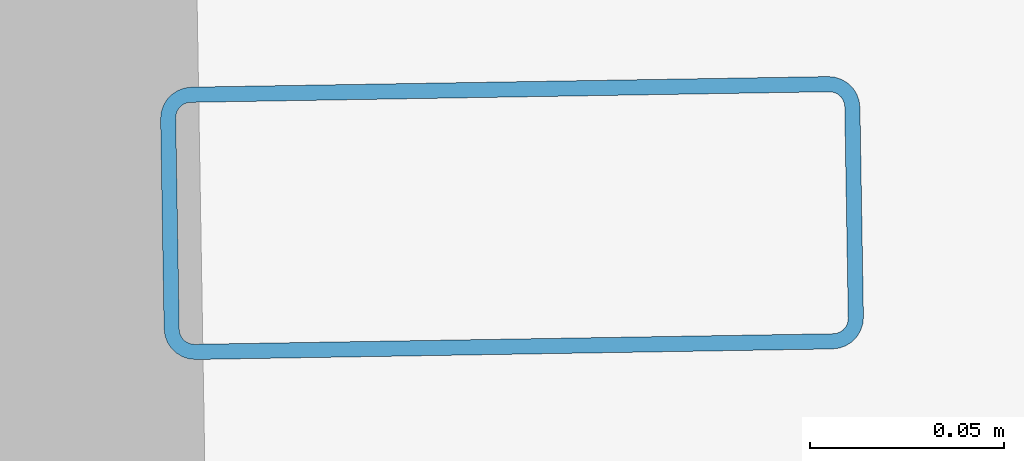
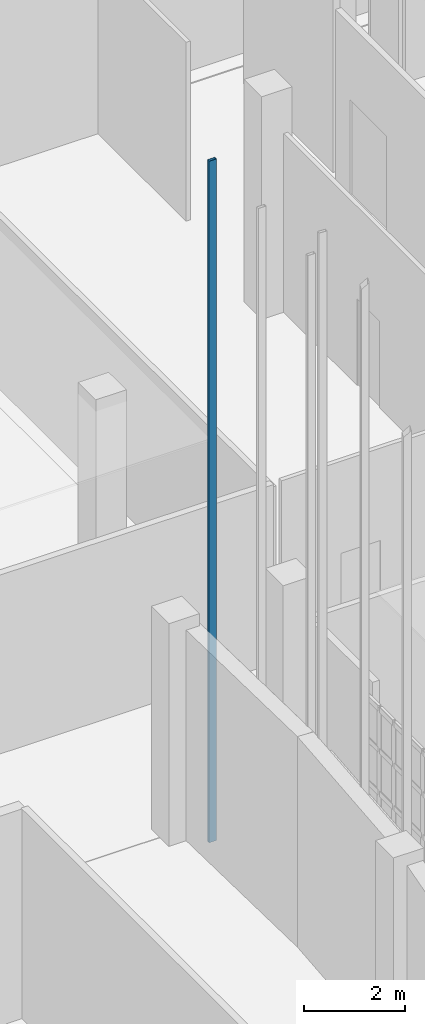
# One storey, part 235 of 372: 1 member.
"""IFC4 building model written with IfcOpenShell, lengths in metres."""

from ifc_helpers import new_model, si_unit, direction, frame, origin, origin_2d, place, context, subcontext, project, spatial, hollow_rectangle, extrude, material, material_profile, profile_set, type_object, element, save


model = new_model("IFC4")

# Units and contexts
model_context = context("Model", 3, precision=1e-05, world=origin(), true_north=direction((0.0, 1.0)))
body_context = subcontext(model_context, "Body", "Model", "MODEL_VIEW")
ifc_project = project(units=[si_unit("LENGTHUNIT", "METRE"), si_unit("AREAUNIT", "SQUARE_METRE"), si_unit("VOLUMEUNIT", "CUBIC_METRE"), si_unit("PLANEANGLEUNIT", "RADIAN"), si_unit("MASSUNIT", "GRAM", prefix="KILO")], contexts=[model_context])

# Site, building, storey
site_placement = place(None, origin())
site = spatial("IfcSite", under=ifc_project, at=site_placement, CompositionType="ELEMENT")
building_placement = place(site_placement, origin())
building = spatial("IfcBuilding", under=site, at=building_placement, Name="Kaelora Sail Theatre", CompositionType="ELEMENT")
storey_placement = place(building_placement, origin())
storey = spatial("IfcBuildingStorey", under=building, at=storey_placement, Name="L00", CompositionType="ELEMENT", Elevation=0.0)

# Member
ifc_material = material(Name="Anodised aluminium 6063-T6", Category="aluminium")
ifc_material_profile = material_profile(ifc_material, hollow_rectangle(XDim=0.070068359375, YDim=0.179931640625, WallThickness=0.00390625, InnerFilletRadius=0.00390625, OuterFilletRadius=0.008056640625, at=origin_2d()), Name="ALU-MULL 70x180x4")
ifc_profile_set = profile_set([ifc_material_profile], Name="Anodised aluminium 6063-T6")
member_type = type_object("IfcMemberType", Name="ARC-MEM-PST-160", PredefinedType="POST", material=ifc_profile_set)
member_placement = place(storey_placement, frame((104.670166015625, 60.412353515625, 0.0), z_axis=(0.0, 0.0, 1.0), x_axis=(0.016579868188, -0.999862544538, 0.0)))
element("IfcMember", 1, at=member_placement, inside=storey, type_object=member_type, Name="Studio Theatre Sail Drum solar louvre vertical support post C1-1", PredefinedType="POST", context=body_context, shape_type="SweptSolid", body=[
    extrude(hollow_rectangle(XDim=0.070068359375, YDim=0.179931640625, WallThickness=0.00390625, InnerFilletRadius=0.00390625, OuterFilletRadius=0.008056640625, at=origin_2d()), origin(), (0.0, 0.0, 1.0), 16.525390625),
])

save(model, "model.ifc")
